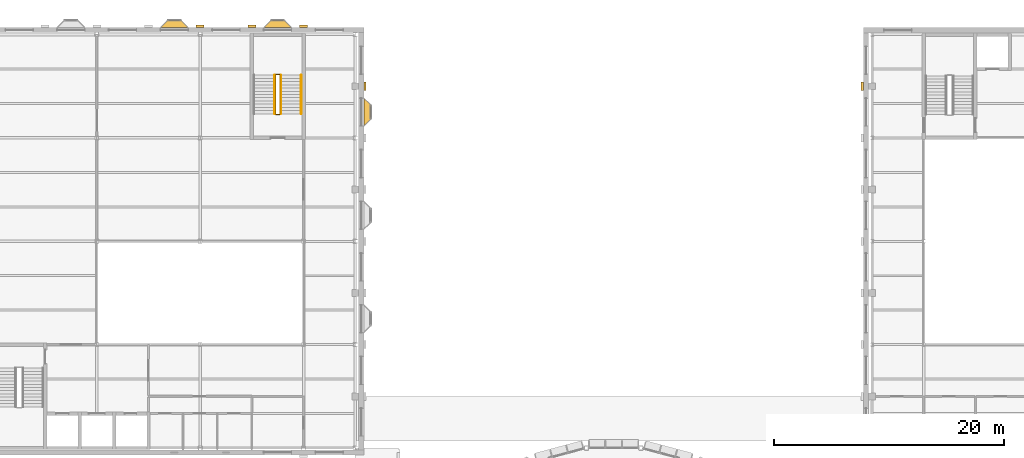
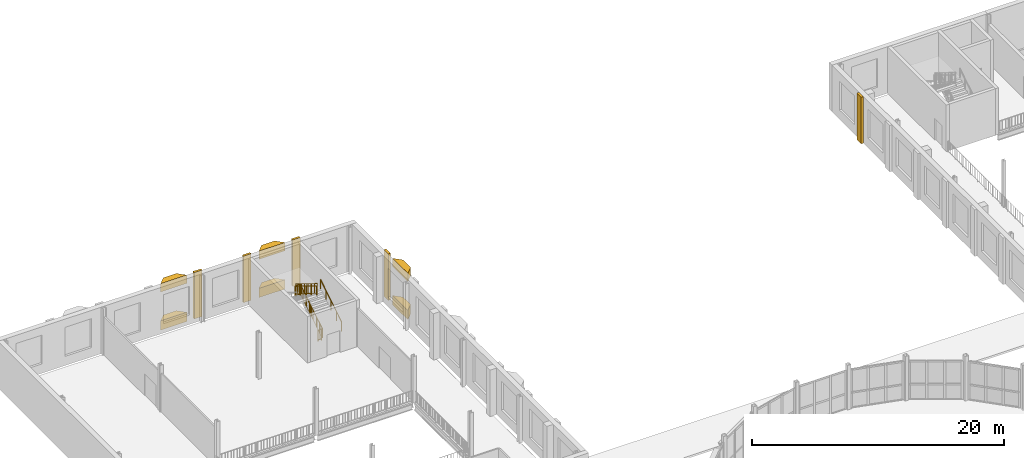
# One storey, part 72 of 74: 11 coverings, 7 railings.
"""IFC4 building model written with IfcOpenShell, lengths in metres."""

import ifcopenshell
import ifcopenshell.guid

model = None  # the IFC model being written
_history = None  # IfcOwnerHistory: only IFC2X3 demands one
_inside = {}  # id of a spatial element -> (the spatial element, [elements in it])
_under = {}  # id of a project, library or spatial element -> (it, [spatial elements below it])
_declared = {}  # id of a project -> (the project, [libraries it declares])
_typed = {}  # id of a type object -> (the type object, [elements of that type])
_made_of = {}  # id of a material, layer set ... -> (it, [elements and type objects made of it])


def new_model(schema):
    """Start an empty IFC model of exactly this schema.

    Asked for "IFC4X3", IfcOpenShell would pick the latest addendum, in which some entities
    have other attributes; the version numbers below select the first issue.
    IFC2X3 requires an IfcOwnerHistory on every rooted entity: one is made here for all.
    """
    global model, _history
    if schema == "IFC4X3":
        model = ifcopenshell.file(schema_version=(4, 3, 0, 0))
    else:
        model = ifcopenshell.file(schema=schema)
    _inside.clear()
    _under.clear()
    _declared.clear()
    _typed.clear()
    _made_of.clear()
    _history = None
    if model.schema == "IFC2X3":
        org = make("IfcOrganization", Name="unknown")
        user = make(
            "IfcPersonAndOrganization",
            ThePerson=make("IfcPerson", FamilyName="unknown"),
            TheOrganization=org,
        )
        app = make(
            "IfcApplication",
            ApplicationDeveloper=org,
            Version="unknown",
            ApplicationFullName="unknown",
            ApplicationIdentifier="unknown",
        )
        _history = make(
            "IfcOwnerHistory",
            OwningUser=user,
            OwningApplication=app,
            ChangeAction="ADDED",
            CreationDate=0,
        )
    return model


def make(cls, **values):
    """One entity of the class cls with the attributes given. An attribute that is None is left unset."""
    return model.create_entity(
        cls, **{name: value for name, value in values.items() if value is not None}
    )


def rooted(cls, **values):
    """An entity with a GlobalId (a new one), such as an element, a storey or a relation."""
    return make(cls, GlobalId=ifcopenshell.guid.new(), OwnerHistory=_history, **values)


def si_unit(unit_type, name, prefix=None):
    """IfcSIUnit, for example si_unit("LENGTHUNIT", "METRE", prefix="MILLI")."""
    return make("IfcSIUnit", UnitType=unit_type, Prefix=prefix, Name=name)


def assignment(units):
    """IfcUnitAssignment: the units of a project."""
    return None if units is None else make("IfcUnitAssignment", Units=units)


def point(xyz):
    """IfcCartesianPoint."""
    return None if xyz is None else make("IfcCartesianPoint", Coordinates=xyz)


def direction(xyz):
    """IfcDirection."""
    return None if xyz is None else make("IfcDirection", DirectionRatios=xyz)


def frame(location, z_axis=None, x_axis=None):
    """IfcAxis2Placement3D, a coordinate frame: its origin and axes. An axis left out is left unset."""
    return make(
        "IfcAxis2Placement3D",
        Location=point(location),
        Axis=direction(z_axis),
        RefDirection=direction(x_axis),
    )


def frame_2d(location, x_axis=None):
    """IfcAxis2Placement2D, a coordinate frame in the plane: its origin and x axis."""
    return make(
        "IfcAxis2Placement2D", Location=point(location), RefDirection=direction(x_axis)
    )


def origin():
    """The frame at (0, 0, 0) with its axes left unset."""
    return frame((0.0, 0.0, 0.0))


def origin_2d():
    """The frame at (0, 0) in the plane with its x axis left unset."""
    return frame_2d((0.0, 0.0))


def place(relative_to, where):
    """IfcLocalPlacement: puts the frame where relative to a parent placement (None: the world)."""
    return make(
        "IfcLocalPlacement", PlacementRelTo=relative_to, RelativePlacement=where
    )


def context(
    kind, dimensions, precision=None, world=None, true_north=None, identifier=None
):
    """IfcGeometricRepresentationContext, for example the 3D "Model" context."""
    return make(
        "IfcGeometricRepresentationContext",
        ContextIdentifier=identifier,
        ContextType=kind,
        CoordinateSpaceDimension=dimensions,
        Precision=precision,
        WorldCoordinateSystem=world,
        TrueNorth=true_north,
    )


def subcontext(parent, identifier, kind, view, scale=None):
    """IfcGeometricRepresentationSubContext, for example "Body" below "Model"."""
    return make(
        "IfcGeometricRepresentationSubContext",
        ContextIdentifier=identifier,
        ContextType=kind,
        ParentContext=parent,
        TargetScale=scale,
        TargetView=view,
    )


def project(units=None, contexts=None):
    """IfcProject with its units and contexts."""
    return rooted(
        "IfcProject",
        Name="project",
        RepresentationContexts=contexts,
        UnitsInContext=assignment(units),
    )


def spatial(cls, under=None, at=None, **own):
    """A site, building, storey or space (cls), placed at a placement, below another one or the project."""
    s = rooted(cls, ObjectPlacement=at, **own)
    if under is not None:
        _under.setdefault(under.id(), (under, []))[1].append(s)
    return s


def polyline(points):
    """IfcPolyline through the points."""
    return make("IfcPolyline", Points=[point(p) for p in points])


def profile(cls, at=None, kind="AREA", **sizes):
    """A parametric profile (cls). Its sizes go by their IFC names, for example OverallWidth=200.0."""
    return make(cls, ProfileType=kind, Position=at, **sizes)


def rectangle(**sizes):
    """IfcRectangleProfileDef."""
    return profile("IfcRectangleProfileDef", **sizes)


def circle(**sizes):
    """IfcCircleProfileDef."""
    return profile("IfcCircleProfileDef", **sizes)


def outline(outer, holes=None, kind="AREA"):
    """IfcArbitraryClosedProfileDef: a profile drawn as a closed curve; with holes, ...WithVoids."""
    if holes is None:
        return make("IfcArbitraryClosedProfileDef", ProfileType=kind, OuterCurve=outer)
    return make(
        "IfcArbitraryProfileDefWithVoids",
        ProfileType=kind,
        OuterCurve=outer,
        InnerCurves=holes,
    )


def extrude(swept, where, along, depth):
    """IfcExtrudedAreaSolid: the profile swept, set in the frame where, extruded along a direction by depth."""
    return make(
        "IfcExtrudedAreaSolid",
        SweptArea=swept,
        Position=where,
        ExtrudedDirection=direction(along),
        Depth=depth,
    )


def shape(context_of_items, identifier, shape_type, items):
    """IfcShapeRepresentation: the items that make up one representation, for example the "Body"."""
    return make(
        "IfcShapeRepresentation",
        ContextOfItems=context_of_items,
        RepresentationIdentifier=identifier,
        RepresentationType=shape_type,
        Items=items,
    )


def material(Name=None, Category=None):
    """IfcMaterial."""
    return make("IfcMaterial", Name=Name, Category=Category)


def layer(
    of_material, thickness, ventilated=None, Name=None, Category=None, Priority=None
):
    """IfcMaterialLayer: one layer of a wall or slab, of a material (None: an air gap)."""
    return make(
        "IfcMaterialLayer",
        Material=of_material,
        LayerThickness=thickness,
        IsVentilated=ventilated,
        Name=Name,
        Category=Category,
        Priority=Priority,
    )


def layer_set(layers, Name=None):
    """IfcMaterialLayerSet."""
    return make("IfcMaterialLayerSet", MaterialLayers=layers, LayerSetName=Name)


def made_of(thing, what):
    """Note that an element or type object is made of a material, layer set ...; save() writes the relation."""
    if what is not None:
        _made_of.setdefault(what.id(), (what, []))[1].append(thing)
    return thing


def type_object(cls, material=None, **own):
    """A type object (cls), such as IfcWallType, which elements share."""
    return made_of(rooted(cls, **own), material)


def element(
    cls,
    number,
    at=None,
    inside=None,
    cuts=None,
    type_object=None,
    material=None,
    context=None,
    identifier="Body",
    shape_type=None,
    held_by="IfcProductDefinitionShape",
    body=None,
    shapes=None,
    **own,
):
    """One element of the class cls, such as IfcWall. Its Tag is "e" and its number.

    at: its placement. inside: the storey or other place that contains it. cuts: it is an
    opening in that element (IfcRelVoidsElement). A single representation is given by context,
    identifier, shape_type and body (its items); several are given by shapes. held_by: the class
    of the entity that holds the representations. save() writes the other relations.
    """
    e = rooted(cls, Tag="e%d" % number, ObjectPlacement=at, **own)
    if body is not None:
        shapes = [shape(context, identifier, shape_type, body)]
    if shapes is not None:
        e.Representation = make(held_by, Representations=shapes)
    if inside is not None:
        _inside.setdefault(inside.id(), (inside, []))[1].append(e)
    if cuts is not None:
        rooted(
            "IfcRelVoidsElement", RelatingBuildingElement=cuts, RelatedOpeningElement=e
        )
    if type_object is not None:
        _typed.setdefault(type_object.id(), (type_object, []))[1].append(e)
    return made_of(e, material)


def aggregate(whole, parts):
    """IfcRelAggregates: a whole, such as a stair, and the parts it consists of."""
    return rooted("IfcRelAggregates", RelatingObject=whole, RelatedObjects=parts)


def save(model, path):
    """Write the relations noted so far, then the file.

    IfcRelAggregates (storeys below a building ...), IfcRelContainedInSpatialStructure (elements
    in a storey), IfcRelDefinesByType, IfcRelAssociatesMaterial and IfcRelDeclares: one each for
    every whole, place, type object, material and project.
    """
    for whole, parts in _under.values():
        aggregate(whole, parts)
    for where, things in _inside.values():
        rooted(
            "IfcRelContainedInSpatialStructure",
            RelatedElements=things,
            RelatingStructure=where,
        )
    for kind, things in _typed.values():
        rooted("IfcRelDefinesByType", RelatedObjects=things, RelatingType=kind)
    for what, things in _made_of.values():
        rooted("IfcRelAssociatesMaterial", RelatedObjects=things, RelatingMaterial=what)
    for by, libraries in _declared.values():
        rooted("IfcRelDeclares", RelatingContext=by, RelatedDefinitions=libraries)
    model.write(path)


model = new_model("IFC4")

# Units and contexts
model_context = context("Model", 3, precision=1e-05, world=origin(), true_north=direction((0.0, 1.0)))
body_context = subcontext(model_context, "Body", "Model", "MODEL_VIEW")
ifc_project = project(units=[si_unit("LENGTHUNIT", "METRE"), si_unit("AREAUNIT", "SQUARE_METRE"), si_unit("VOLUMEUNIT", "CUBIC_METRE"), si_unit("PLANEANGLEUNIT", "RADIAN"), si_unit("MASSUNIT", "GRAM", prefix="KILO")], contexts=[model_context])

# Site, building, storey
site_placement = place(None, origin())
site = spatial("IfcSite", under=ifc_project, at=site_placement, CompositionType="ELEMENT")
building_placement = place(site_placement, origin())
building = spatial("IfcBuilding", under=site, at=building_placement, Name="Hortulan Conservatory and Botanical Research Centre", CompositionType="ELEMENT")
storey_placement = place(building_placement, frame((0.0, 0.0, 6.0)))
storey = spatial("IfcBuildingStorey", under=building, at=storey_placement, Name="L01", CompositionType="ELEMENT", Elevation=6.0)

# Coverings
ifc_material_1 = material(Name="Faience-faced brickwork masonry", Category="masonry")
covering_type_1 = type_object("IfcCoveringType", Name="Faience Oriel Base", PredefinedType="CLADDING", material=ifc_material_1)
covering_1_placement = place(storey_placement, origin())
element("IfcCovering", 1, at=covering_1_placement, inside=storey, type_object=covering_type_1, Name="Oriel base", PredefinedType="CLADDING", context=body_context, shape_type="SweptSolid", body=[
    extrude(outline(polyline([(14.550048828125, 72.610595703125), (15.14990234375, 73.21044921875), (16.35009765625, 73.21044921875), (16.949951171875, 72.610595703125), (14.550048828125, 72.610595703125)])), origin(), (0.0, 0.0, 1.0), 0.89990234375),
])
covering_2_placement = place(storey_placement, origin())
element("IfcCovering", 2, at=covering_2_placement, inside=storey, type_object=covering_type_1, Name="Oriel base", PredefinedType="CLADDING", context=body_context, shape_type="SweptSolid", body=[
    extrude(outline(polyline([(23.550048828125, 72.610595703125), (24.14990234375, 73.21044921875), (25.35009765625, 73.21044921875), (25.949951171875, 72.610595703125), (23.550048828125, 72.610595703125)])), origin(), (0.0, 0.0, 1.0), 0.89990234375),
])
covering_3_placement = place(storey_placement, origin())
element("IfcCovering", 3, at=covering_3_placement, inside=storey, type_object=covering_type_1, Name="Oriel base", PredefinedType="CLADDING", context=body_context, shape_type="SweptSolid", body=[
    extrude(outline(polyline([(32.25, 66.449951171875), (32.85009765625, 65.85009765625), (32.85009765625, 64.64990234375), (32.25, 64.050048828125), (32.25, 66.449951171875)])), origin(), (0.0, 0.0, 1.0), 0.89990234375),
])
covering_type_2 = type_object("IfcCoveringType", Name="Faience Oriel Frieze", PredefinedType="CLADDING", material=ifc_material_1)
covering_4_placement = place(storey_placement, frame((0.0, 0.0, 3.699951171875)))
element("IfcCovering", 4, at=covering_4_placement, inside=storey, type_object=covering_type_2, Name="Oriel frieze", PredefinedType="CLADDING", context=body_context, shape_type="SweptSolid", body=[
    extrude(outline(polyline([(14.550048828125, 72.610595703125), (15.14990234375, 73.21044921875), (16.35009765625, 73.21044921875), (16.949951171875, 72.610595703125), (14.550048828125, 72.610595703125)])), origin(), (0.0, 0.0, 1.0), 0.800048828125),
])
covering_5_placement = place(storey_placement, frame((0.0, 0.0, 3.699951171875)))
element("IfcCovering", 5, at=covering_5_placement, inside=storey, type_object=covering_type_2, Name="Oriel frieze", PredefinedType="CLADDING", context=body_context, shape_type="SweptSolid", body=[
    extrude(outline(polyline([(23.550048828125, 72.610595703125), (24.14990234375, 73.21044921875), (25.35009765625, 73.21044921875), (25.949951171875, 72.610595703125), (23.550048828125, 72.610595703125)])), origin(), (0.0, 0.0, 1.0), 0.800048828125),
])
covering_6_placement = place(storey_placement, frame((0.0, 0.0, 3.699951171875)))
element("IfcCovering", 6, at=covering_6_placement, inside=storey, type_object=covering_type_2, Name="Oriel frieze", PredefinedType="CLADDING", context=body_context, shape_type="SweptSolid", body=[
    extrude(outline(polyline([(32.25, 66.449951171875), (32.85009765625, 65.85009765625), (32.85009765625, 64.64990234375), (32.25, 64.050048828125), (32.25, 66.449951171875)])), origin(), (0.0, 0.0, 1.0), 0.800048828125),
])
ifc_material_2 = material(Name="Sandstone masonry (Hawkesbury yellow block)", Category="masonry")
ifc_layer = layer(ifc_material_2, 0.199951171875)
ifc_layer_set = layer_set([ifc_layer], Name="Sandstone Pilaster 700x200")
covering_type_3 = type_object("IfcCoveringType", Name="Sandstone Pilaster 700x200", PredefinedType="CLADDING", material=ifc_layer_set)
for number, where, z_axis, x_axis, name in (
    (7, (18.0, 72.71044921875, 0.0), (0.0, 0.0, 1.0), (1.0, 0.0, 0.0), "Pier"),
    (8, (22.5, 72.71044921875, 0.0), (0.0, 0.0, 1.0), (1.0, 0.0, 0.0), "Pier"),
    (9, (27.0, 72.71044921875, 0.0), (0.0, 0.0, 1.0), (1.0, 0.0, 0.0), "Pier"),
    (10, (32.35009765625, 67.5, 0.0), (0.0, 0.0, 1.0), (0.0, -1.0, 0.0), "Pier"),
    (11, (75.64990234375, 67.5, 0.0), (0.0, 0.0, 1.0), (0.0, 1.0, 0.0), "Pier"),
):
    element("IfcCovering", number, at=place(storey_placement, frame(where, z_axis=z_axis, x_axis=x_axis)), inside=storey, type_object=covering_type_3, Name=name, PredefinedType="CLADDING", context=body_context, shape_type="SweptSolid", body=[
        extrude(rectangle(XDim=0.699951171875, YDim=0.199951171875, at=origin_2d()), origin(), (0.0, 0.0, 1.0), 4.5),
    ])

# Railings
ifc_material_3 = material(Name="Steel balustrade, bronze-charcoal paint", Category="steel")
railing_type_1 = type_object("IfcRailingType", Name="Stair Guard 1100", PredefinedType="GUARDRAIL", material=ifc_material_3)
railing_1_placement = place(storey_placement, frame((24.949951171875, 65.10009765625, 0.173095703125)))
element("IfcRailing", 12, at=railing_1_placement, inside=storey, type_object=railing_type_1, Name="Guard V2 L01 stair 1", PredefinedType="GUARDRAIL", context=body_context, shape_type="SweptSolid", body=[
    extrude(circle(Radius=0.02392578125, at=origin_2d()), frame((0.0, 0.0, 1.076171875), z_axis=(0.0, 0.850606129759, 0.525803396734), x_axis=(-1.0, 0.0, 0.0)), (0.0, 0.0, 1.0), 3.949951171875),
    extrude(circle(Radius=0.02392578125, at=origin_2d()), frame((0.0, 0.0, 0.1240234375), z_axis=(0.0, 0.850606129759, 0.525803396734), x_axis=(-1.0, 0.0, 0.0)), (0.0, 0.0, 1.0), 3.949951171875),
    extrude(circle(Radius=0.008056640625, at=origin_2d()), frame((0.0, 0.09326171875, 0.205810546875)), (0.0, 0.0, 1.0), 0.90380859375),
    extrude(circle(Radius=0.008056640625, at=origin_2d()), frame((0.0, 0.186767578125, 0.263671875)), (0.0, 0.0, 1.0), 0.90380859375),
    extrude(circle(Radius=0.008056640625, at=origin_2d()), frame((0.0, 0.280029296875, 0.3212890625)), (0.0, 0.0, 1.0), 0.90380859375),
    extrude(circle(Radius=0.008056640625, at=origin_2d()), frame((0.0, 0.373291015625, 0.37890625)), (0.0, 0.0, 1.0), 0.90380859375),
    extrude(circle(Radius=0.008056640625, at=origin_2d()), frame((0.0, 0.466552734375, 0.436767578125)), (0.0, 0.0, 1.0), 0.90380859375),
    extrude(circle(Radius=0.008056640625, at=origin_2d()), frame((0.0, 0.56005859375, 0.494384765625)), (0.0, 0.0, 1.0), 0.90380859375),
    extrude(circle(Radius=0.008056640625, at=origin_2d()), frame((0.0, 0.6533203125, 0.552001953125)), (0.0, 0.0, 1.0), 0.90380859375),
    extrude(circle(Radius=0.008056640625, at=origin_2d()), frame((0.0, 0.74658203125, 0.609619140625)), (0.0, 0.0, 1.0), 0.90380859375),
    extrude(circle(Radius=0.008056640625, at=origin_2d()), frame((0.0, 0.83984375, 0.66748046875)), (0.0, 0.0, 1.0), 0.90380859375),
    extrude(circle(Radius=0.008056640625, at=origin_2d()), frame((0.0, 0.933349609375, 0.72509765625)), (0.0, 0.0, 1.0), 0.90380859375),
    extrude(circle(Radius=0.008056640625, at=origin_2d()), frame((0.0, 1.026611328125, 0.78271484375)), (0.0, 0.0, 1.0), 0.90380859375),
    extrude(circle(Radius=0.008056640625, at=origin_2d()), frame((0.0, 1.119873046875, 0.840576171875)), (0.0, 0.0, 1.0), 0.90380859375),
    extrude(circle(Radius=0.008056640625, at=origin_2d()), frame((0.0, 1.21337890625, 0.898193359375)), (0.0, 0.0, 1.0), 0.90380859375),
    extrude(circle(Radius=0.008056640625, at=origin_2d()), frame((0.0, 1.306640625, 0.955810546875)), (0.0, 0.0, 1.0), 0.90380859375),
    extrude(circle(Radius=0.008056640625, at=origin_2d()), frame((0.0, 1.39990234375, 1.013671875)), (0.0, 0.0, 1.0), 0.90380859375),
    extrude(circle(Radius=0.008056640625, at=origin_2d()), frame((0.0, 1.4931640625, 1.0712890625)), (0.0, 0.0, 1.0), 0.90380859375),
    extrude(circle(Radius=0.008056640625, at=origin_2d()), frame((0.0, 1.586669921875, 1.12890625)), (0.0, 0.0, 1.0), 0.90380859375),
    extrude(circle(Radius=0.008056640625, at=origin_2d()), frame((0.0, 1.679931640625, 1.1865234375)), (0.0, 0.0, 1.0), 0.90380859375),
    extrude(circle(Radius=0.008056640625, at=origin_2d()), frame((0.0, 1.773193359375, 1.244384765625)), (0.0, 0.0, 1.0), 0.90380859375),
    extrude(circle(Radius=0.008056640625, at=origin_2d()), frame((0.0, 1.86669921875, 1.302001953125)), (0.0, 0.0, 1.0), 0.90380859375),
    extrude(circle(Radius=0.008056640625, at=origin_2d()), frame((0.0, 1.9599609375, 1.359619140625)), (0.0, 0.0, 1.0), 0.90380859375),
    extrude(circle(Radius=0.008056640625, at=origin_2d()), frame((0.0, 2.05322265625, 1.41748046875)), (0.0, 0.0, 1.0), 0.90380859375),
    extrude(circle(Radius=0.008056640625, at=origin_2d()), frame((0.0, 2.146484375, 1.47509765625)), (0.0, 0.0, 1.0), 0.90380859375),
    extrude(circle(Radius=0.008056640625, at=origin_2d()), frame((0.0, 2.239990234375, 1.53271484375)), (0.0, 0.0, 1.0), 0.90380859375),
    extrude(circle(Radius=0.008056640625, at=origin_2d()), frame((0.0, 2.333251953125, 1.590576171875)), (0.0, 0.0, 1.0), 0.90380859375),
    extrude(circle(Radius=0.008056640625, at=origin_2d()), frame((0.0, 2.426513671875, 1.648193359375)), (0.0, 0.0, 1.0), 0.90380859375),
    extrude(circle(Radius=0.008056640625, at=origin_2d()), frame((0.0, 2.52001953125, 1.705810546875)), (0.0, 0.0, 1.0), 0.90380859375),
    extrude(circle(Radius=0.008056640625, at=origin_2d()), frame((0.0, 2.61328125, 1.763671875)), (0.0, 0.0, 1.0), 0.90380859375),
    extrude(circle(Radius=0.008056640625, at=origin_2d()), frame((0.0, 2.70654296875, 1.8212890625)), (0.0, 0.0, 1.0), 0.90380859375),
    extrude(circle(Radius=0.008056640625, at=origin_2d()), frame((0.0, 2.7998046875, 1.87890625)), (0.0, 0.0, 1.0), 0.90380859375),
    extrude(circle(Radius=0.008056640625, at=origin_2d()), frame((0.0, 2.893310546875, 1.9365234375)), (0.0, 0.0, 1.0), 0.90380859375),
    extrude(circle(Radius=0.008056640625, at=origin_2d()), frame((0.0, 2.986572265625, 1.994384765625)), (0.0, 0.0, 1.0), 0.90380859375),
    extrude(circle(Radius=0.008056640625, at=origin_2d()), frame((0.0, 3.079833984375, 2.052001953125)), (0.0, 0.0, 1.0), 0.90380859375),
    extrude(circle(Radius=0.008056640625, at=origin_2d()), frame((0.0, 3.173095703125, 2.109619140625)), (0.0, 0.0, 1.0), 0.90380859375),
    extrude(circle(Radius=0.008056640625, at=origin_2d()), frame((0.0, 3.2666015625, 2.16748046875)), (0.0, 0.0, 1.0), 0.90380859375),
    extrude(circle(Radius=0.02099609375, at=origin_2d()), origin(), (0.0, 0.0, 1.0), 1.052001953125),
    extrude(circle(Radius=0.02099609375, at=origin_2d()), frame((0.0, 0.83984375, 0.519287109375)), (0.0, 0.0, 1.0), 1.052001953125),
    extrude(circle(Radius=0.02099609375, at=origin_2d()), frame((0.0, 1.679931640625, 1.03857421875)), (0.0, 0.0, 1.0), 1.052001953125),
    extrude(circle(Radius=0.02099609375, at=origin_2d()), frame((0.0, 2.52001953125, 1.5576171875)), (0.0, 0.0, 1.0), 1.052001953125),
    extrude(circle(Radius=0.02099609375, at=origin_2d()), frame((0.0, 3.35986328125, 2.076904296875)), (0.0, 0.0, 1.0), 1.052001953125),
])
railing_2_placement = place(storey_placement, frame((24.89990234375, 68.510009765625, 2.25)))
element("IfcRailing", 13, at=railing_2_placement, inside=storey, type_object=railing_type_1, Name="Guard V2 L01 stair 2", PredefinedType="GUARDRAIL", context=body_context, shape_type="SweptSolid", body=[
    extrude(circle(Radius=0.02392578125, at=origin_2d()), frame((0.0, 0.0, 1.076171875), z_axis=(-1.0, 0.0, 0.0), x_axis=(0.0, -1.0, 0.0)), (0.0, 0.0, 1.0), 0.2998046875),
    extrude(circle(Radius=0.02392578125, at=origin_2d()), frame((0.0, 0.0, 0.1240234375), z_axis=(-1.0, 0.0, 0.0), x_axis=(0.0, -1.0, 0.0)), (0.0, 0.0, 1.0), 0.2998046875),
    extrude(circle(Radius=0.008056640625, at=origin_2d()), frame((-0.099853515625, 0.0, 0.148193359375)), (0.0, 0.0, 1.0), 0.90380859375),
    extrude(circle(Radius=0.008056640625, at=origin_2d()), frame((-0.199951171875, 0.0, 0.148193359375)), (0.0, 0.0, 1.0), 0.90380859375),
    extrude(circle(Radius=0.02099609375, at=origin_2d()), origin(), (0.0, 0.0, 1.0), 1.052001953125),
    extrude(circle(Radius=0.02099609375, at=origin_2d()), frame((-0.2998046875, 0.0, 0.0)), (0.0, 0.0, 1.0), 1.052001953125),
])
railing_3_placement = place(storey_placement, frame((24.550048828125, 68.4599609375, 2.423095703125)))
element("IfcRailing", 14, at=railing_3_placement, inside=storey, type_object=railing_type_1, Name="Guard V2 L01 stair 3", PredefinedType="GUARDRAIL", context=body_context, shape_type="SweptSolid", body=[
    extrude(circle(Radius=0.02392578125, at=origin_2d()), frame((0.0, 0.0, 1.076171875), z_axis=(0.0, -0.850606129759, 0.525803396734), x_axis=(1.0, 0.0, 0.0)), (0.0, 0.0, 1.0), 3.949951171875),
    extrude(circle(Radius=0.02392578125, at=origin_2d()), frame((0.0, 0.0, 0.1240234375), z_axis=(0.0, -0.850606129759, 0.525803396734), x_axis=(1.0, 0.0, 0.0)), (0.0, 0.0, 1.0), 3.949951171875),
    extrude(circle(Radius=0.008056640625, at=origin_2d()), frame((0.0, -0.09326171875, 0.205810546875)), (0.0, 0.0, 1.0), 0.90380859375),
    extrude(circle(Radius=0.008056640625, at=origin_2d()), frame((0.0, -0.186767578125, 0.263671875)), (0.0, 0.0, 1.0), 0.90380859375),
    extrude(circle(Radius=0.008056640625, at=origin_2d()), frame((0.0, -0.280029296875, 0.3212890625)), (0.0, 0.0, 1.0), 0.90380859375),
    extrude(circle(Radius=0.008056640625, at=origin_2d()), frame((0.0, -0.373291015625, 0.37890625)), (0.0, 0.0, 1.0), 0.90380859375),
    extrude(circle(Radius=0.008056640625, at=origin_2d()), frame((0.0, -0.466552734375, 0.436767578125)), (0.0, 0.0, 1.0), 0.90380859375),
    extrude(circle(Radius=0.008056640625, at=origin_2d()), frame((0.0, -0.56005859375, 0.494384765625)), (0.0, 0.0, 1.0), 0.90380859375),
    extrude(circle(Radius=0.008056640625, at=origin_2d()), frame((0.0, -0.6533203125, 0.552001953125)), (0.0, 0.0, 1.0), 0.90380859375),
    extrude(circle(Radius=0.008056640625, at=origin_2d()), frame((0.0, -0.74658203125, 0.609619140625)), (0.0, 0.0, 1.0), 0.90380859375),
    extrude(circle(Radius=0.008056640625, at=origin_2d()), frame((0.0, -0.83984375, 0.66748046875)), (0.0, 0.0, 1.0), 0.90380859375),
    extrude(circle(Radius=0.008056640625, at=origin_2d()), frame((0.0, -0.933349609375, 0.72509765625)), (0.0, 0.0, 1.0), 0.90380859375),
    extrude(circle(Radius=0.008056640625, at=origin_2d()), frame((0.0, -1.026611328125, 0.78271484375)), (0.0, 0.0, 1.0), 0.90380859375),
    extrude(circle(Radius=0.008056640625, at=origin_2d()), frame((0.0, -1.119873046875, 0.840576171875)), (0.0, 0.0, 1.0), 0.90380859375),
    extrude(circle(Radius=0.008056640625, at=origin_2d()), frame((0.0, -1.21337890625, 0.898193359375)), (0.0, 0.0, 1.0), 0.90380859375),
    extrude(circle(Radius=0.008056640625, at=origin_2d()), frame((0.0, -1.306640625, 0.955810546875)), (0.0, 0.0, 1.0), 0.90380859375),
    extrude(circle(Radius=0.008056640625, at=origin_2d()), frame((0.0, -1.39990234375, 1.013671875)), (0.0, 0.0, 1.0), 0.90380859375),
    extrude(circle(Radius=0.008056640625, at=origin_2d()), frame((0.0, -1.4931640625, 1.0712890625)), (0.0, 0.0, 1.0), 0.90380859375),
    extrude(circle(Radius=0.008056640625, at=origin_2d()), frame((0.0, -1.586669921875, 1.12890625)), (0.0, 0.0, 1.0), 0.90380859375),
    extrude(circle(Radius=0.008056640625, at=origin_2d()), frame((0.0, -1.679931640625, 1.1865234375)), (0.0, 0.0, 1.0), 0.90380859375),
    extrude(circle(Radius=0.008056640625, at=origin_2d()), frame((0.0, -1.773193359375, 1.244384765625)), (0.0, 0.0, 1.0), 0.90380859375),
    extrude(circle(Radius=0.008056640625, at=origin_2d()), frame((0.0, -1.86669921875, 1.302001953125)), (0.0, 0.0, 1.0), 0.90380859375),
    extrude(circle(Radius=0.008056640625, at=origin_2d()), frame((0.0, -1.9599609375, 1.359619140625)), (0.0, 0.0, 1.0), 0.90380859375),
    extrude(circle(Radius=0.008056640625, at=origin_2d()), frame((0.0, -2.05322265625, 1.41748046875)), (0.0, 0.0, 1.0), 0.90380859375),
    extrude(circle(Radius=0.008056640625, at=origin_2d()), frame((0.0, -2.146484375, 1.47509765625)), (0.0, 0.0, 1.0), 0.90380859375),
    extrude(circle(Radius=0.008056640625, at=origin_2d()), frame((0.0, -2.239990234375, 1.53271484375)), (0.0, 0.0, 1.0), 0.90380859375),
    extrude(circle(Radius=0.008056640625, at=origin_2d()), frame((0.0, -2.333251953125, 1.590576171875)), (0.0, 0.0, 1.0), 0.90380859375),
    extrude(circle(Radius=0.008056640625, at=origin_2d()), frame((0.0, -2.426513671875, 1.648193359375)), (0.0, 0.0, 1.0), 0.90380859375),
    extrude(circle(Radius=0.008056640625, at=origin_2d()), frame((0.0, -2.52001953125, 1.705810546875)), (0.0, 0.0, 1.0), 0.90380859375),
    extrude(circle(Radius=0.008056640625, at=origin_2d()), frame((0.0, -2.61328125, 1.763671875)), (0.0, 0.0, 1.0), 0.90380859375),
    extrude(circle(Radius=0.008056640625, at=origin_2d()), frame((0.0, -2.70654296875, 1.8212890625)), (0.0, 0.0, 1.0), 0.90380859375),
    extrude(circle(Radius=0.008056640625, at=origin_2d()), frame((0.0, -2.7998046875, 1.87890625)), (0.0, 0.0, 1.0), 0.90380859375),
    extrude(circle(Radius=0.008056640625, at=origin_2d()), frame((0.0, -2.893310546875, 1.9365234375)), (0.0, 0.0, 1.0), 0.90380859375),
    extrude(circle(Radius=0.008056640625, at=origin_2d()), frame((0.0, -2.986572265625, 1.994384765625)), (0.0, 0.0, 1.0), 0.90380859375),
    extrude(circle(Radius=0.008056640625, at=origin_2d()), frame((0.0, -3.079833984375, 2.052001953125)), (0.0, 0.0, 1.0), 0.90380859375),
    extrude(circle(Radius=0.008056640625, at=origin_2d()), frame((0.0, -3.173095703125, 2.109619140625)), (0.0, 0.0, 1.0), 0.90380859375),
    extrude(circle(Radius=0.008056640625, at=origin_2d()), frame((0.0, -3.2666015625, 2.16748046875)), (0.0, 0.0, 1.0), 0.90380859375),
    extrude(circle(Radius=0.02099609375, at=origin_2d()), origin(), (0.0, 0.0, 1.0), 1.052001953125),
    extrude(circle(Radius=0.02099609375, at=origin_2d()), frame((0.0, -0.83984375, 0.519287109375)), (0.0, 0.0, 1.0), 1.052001953125),
    extrude(circle(Radius=0.02099609375, at=origin_2d()), frame((0.0, -1.679931640625, 1.03857421875)), (0.0, 0.0, 1.0), 1.052001953125),
    extrude(circle(Radius=0.02099609375, at=origin_2d()), frame((0.0, -2.52001953125, 1.5576171875)), (0.0, 0.0, 1.0), 1.052001953125),
    extrude(circle(Radius=0.02099609375, at=origin_2d()), frame((0.0, -3.35986328125, 2.076904296875)), (0.0, 0.0, 1.0), 1.052001953125),
])
railing_4_placement = place(storey_placement, frame((24.89990234375, 65.050048828125, 0.0)))
element("IfcRailing", 15, at=railing_4_placement, inside=storey, type_object=railing_type_1, Name="Guard V2 L01 stair 4", PredefinedType="GUARDRAIL", context=body_context, shape_type="SweptSolid", body=[
    extrude(circle(Radius=0.02392578125, at=origin_2d()), frame((0.0, 0.0, 1.076171875), z_axis=(-1.0, 0.0, 0.0), x_axis=(0.0, -1.0, 0.0)), (0.0, 0.0, 1.0), 0.2998046875),
    extrude(circle(Radius=0.02392578125, at=origin_2d()), frame((0.0, 0.0, 0.1240234375), z_axis=(-1.0, 0.0, 0.0), x_axis=(0.0, -1.0, 0.0)), (0.0, 0.0, 1.0), 0.2998046875),
    extrude(circle(Radius=0.008056640625, at=origin_2d()), frame((-0.099853515625, 0.0, 0.148193359375)), (0.0, 0.0, 1.0), 0.90380859375),
    extrude(circle(Radius=0.008056640625, at=origin_2d()), frame((-0.199951171875, 0.0, 0.148193359375)), (0.0, 0.0, 1.0), 0.90380859375),
    extrude(circle(Radius=0.02099609375, at=origin_2d()), origin(), (0.0, 0.0, 1.0), 1.052001953125),
    extrude(circle(Radius=0.02099609375, at=origin_2d()), frame((-0.2998046875, 0.0, 0.0)), (0.0, 0.0, 1.0), 1.052001953125),
])
ifc_material_4 = material(Name="Bronze handrail, polished", Category="metal")
railing_type_2 = type_object("IfcRailingType", Name="Stair Handrail 900", PredefinedType="HANDRAIL", material=ifc_material_4)
for number, where, name in (
    (16, (26.800048828125, 65.10009765625, 0.173095703125), "Handrail V2 L01 stair 1"),
    (17, (25.02001953125, 65.10009765625, 0.173095703125), "Handrail V2 L01 stair 3"),
):
    element("IfcRailing", number, at=place(storey_placement, frame(where)), inside=storey, type_object=railing_type_2, Name=name, PredefinedType="HANDRAIL", context=body_context, shape_type="SweptSolid", body=[
        extrude(circle(Radius=0.02392578125, at=origin_2d()), frame((0.0, 0.0, 0.8759765625), z_axis=(0.0, 0.850606129759, 0.525803396734), x_axis=(-1.0, 0.0, 0.0)), (0.0, 0.0, 1.0), 3.949951171875),
        extrude(circle(Radius=0.02099609375, at=origin_2d()), origin(), (0.0, 0.0, 1.0), 0.851806640625),
        extrude(circle(Radius=0.02099609375, at=origin_2d()), frame((0.0, 0.83984375, 0.519287109375)), (0.0, 0.0, 1.0), 0.851806640625),
        extrude(circle(Radius=0.02099609375, at=origin_2d()), frame((0.0, 1.679931640625, 1.03857421875)), (0.0, 0.0, 1.0), 0.851806640625),
        extrude(circle(Radius=0.02099609375, at=origin_2d()), frame((0.0, 2.52001953125, 1.5576171875)), (0.0, 0.0, 1.0), 0.851806640625),
        extrude(circle(Radius=0.02099609375, at=origin_2d()), frame((0.0, 3.35986328125, 2.076904296875)), (0.0, 0.0, 1.0), 0.851806640625),
    ])
railing_5_placement = place(storey_placement, frame((24.47998046875, 68.4599609375, 2.423095703125)))
element("IfcRailing", 18, at=railing_5_placement, inside=storey, type_object=railing_type_2, Name="Handrail V2 L01 stair 4", PredefinedType="HANDRAIL", context=body_context, shape_type="SweptSolid", body=[
    extrude(circle(Radius=0.02392578125, at=origin_2d()), frame((0.0, 0.0, 0.8759765625), z_axis=(0.0, -0.850606129759, 0.525803396734), x_axis=(1.0, 0.0, 0.0)), (0.0, 0.0, 1.0), 3.949951171875),
    extrude(circle(Radius=0.02099609375, at=origin_2d()), origin(), (0.0, 0.0, 1.0), 0.851806640625),
    extrude(circle(Radius=0.02099609375, at=origin_2d()), frame((0.0, -0.83984375, 0.519287109375)), (0.0, 0.0, 1.0), 0.851806640625),
    extrude(circle(Radius=0.02099609375, at=origin_2d()), frame((0.0, -1.679931640625, 1.03857421875)), (0.0, 0.0, 1.0), 0.851806640625),
    extrude(circle(Radius=0.02099609375, at=origin_2d()), frame((0.0, -2.52001953125, 1.5576171875)), (0.0, 0.0, 1.0), 0.851806640625),
    extrude(circle(Radius=0.02099609375, at=origin_2d()), frame((0.0, -3.35986328125, 2.076904296875)), (0.0, 0.0, 1.0), 0.851806640625),
])

save(model, "model.ifc")
